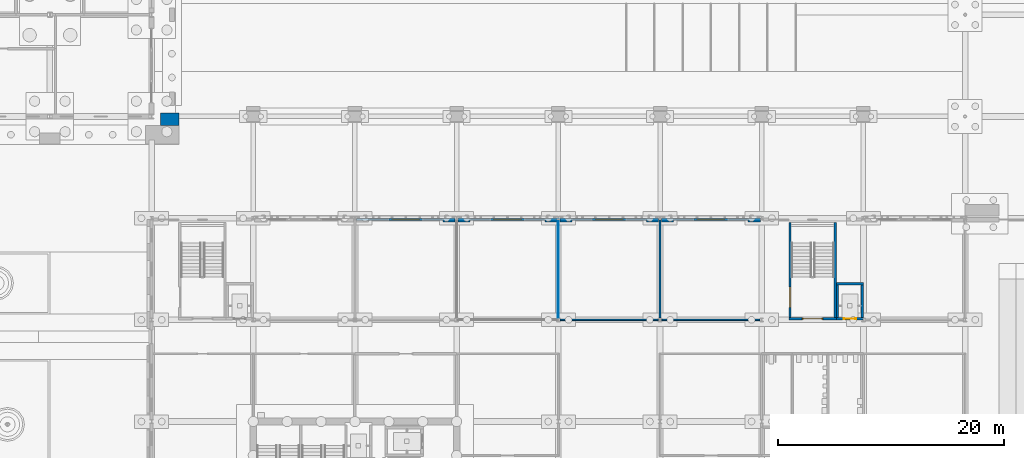
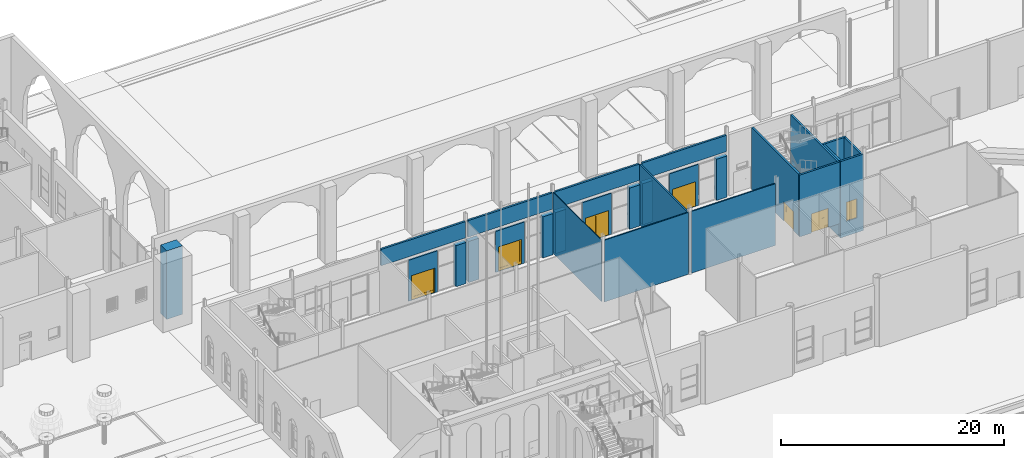
# One storey, part 112 of 250: 27 walls, 7 doors, 7 openings.
"""IFC4 building model written with IfcOpenShell, lengths in metres."""

from ifc_helpers import new_model, si_unit, direction, frame, frame_2d, origin, place, context, subcontext, project, spatial, polyline, rectangle, outline, extrude, material, layer, layer_set, type_object, element, fill, save


model = new_model("IFC4")

# Units and contexts
model_context = context("Model", 3, precision=1e-05, world=origin(), true_north=direction((0.0, 1.0)))
body_context = subcontext(model_context, "Body", "Model", "MODEL_VIEW")
ifc_project = project(units=[si_unit("LENGTHUNIT", "METRE"), si_unit("AREAUNIT", "SQUARE_METRE"), si_unit("VOLUMEUNIT", "CUBIC_METRE"), si_unit("PLANEANGLEUNIT", "RADIAN"), si_unit("MASSUNIT", "GRAM", prefix="KILO")], contexts=[model_context])

# Site, building, storey
site_placement = place(None, origin())
site = spatial("IfcSite", under=ifc_project, at=site_placement, CompositionType="ELEMENT")
building_placement = place(site_placement, origin())
building = spatial("IfcBuilding", under=site, at=building_placement, Name="Baradari Gate Terminus", CompositionType="ELEMENT")
storey_placement = place(building_placement, origin())
storey = spatial("IfcBuildingStorey", under=building, at=storey_placement, Name="L00", CompositionType="ELEMENT", Elevation=0.0)

# Walls
ifc_material_1 = material(Name="Sandstone masonry", Category="masonry")
ifc_layer_1 = layer(ifc_material_1, 0.199951171875)
ifc_layer_set_1 = layer_set([ifc_layer_1], Name="Sandstone masonry")
wall_type_1 = type_object("IfcWallType", Name="Arcade infill wall WA-1 200", PredefinedType="SOLIDWALL", material=ifc_layer_set_1)
for number, where, z_axis, x_axis, name in (
    (1, (81.128173828125, 107.87841796875, 4.89990234375), (0.0, 0.0, 1.0), (1.0, 0.0, 0.0), "Arcade tympanum wall bay 9 L00"),
    (2, (90.128173828125, 107.87841796875, 4.89990234375), (0.0, 0.0, 1.0), (1.0, 0.0, 0.0), "Arcade tympanum wall bay 10 L00"),
    (3, (99.128173828125, 107.87841796875, 4.89990234375), (0.0, 0.0, 1.0), (1.0, 0.0, 0.0), "Arcade tympanum wall bay 11 L00"),
    (4, (108.128173828125, 107.87841796875, 4.89990234375), (0.0, 0.0, 1.0), (1.0, 0.0, 0.0), "Arcade tympanum wall bay 12 L00"),
):
    element("IfcWall", number, at=place(storey_placement, frame(where, z_axis=z_axis, x_axis=x_axis)), inside=storey, type_object=wall_type_1, Name=name, PredefinedType="SOLIDWALL", context=body_context, shape_type="SweptSolid", body=[
        extrude(rectangle(XDim=8.74365234375, YDim=0.199951171875, at=frame_2d((4.371826171875, 0.0))), origin(), (0.0, 0.0, 1.0), 1.792236328125),
    ])
ifc_material_2 = material(Name="Gypsum board")
ifc_layer_2 = layer(ifc_material_2, 0.125)
ifc_layer_set_2 = layer_set([ifc_layer_2], Name="Gypsum board")
wall_type_2 = type_object("IfcWallType", Name="Corridor partition PT-5 125 EI 30", PredefinedType="PARTITIONING", material=ifc_layer_set_2)
for number, where, z_axis, x_axis, name in (
    (5, (108.15380859375, 99.0, 0.0), (0.0, 0.0, 1.0), (1.0, 0.0, 0.0), "PT-5 partition Corridor (Service Corridor West) / Cafe 1"),
    (6, (99.15380859375, 99.0, 0.0), (0.0, 0.0, 1.0), (1.0, 0.0, 0.0), "PT-5 partition Corridor (Service Corridor West) / Pharmacy"),
):
    element("IfcWall", number, at=place(storey_placement, frame(where, z_axis=z_axis, x_axis=x_axis)), inside=storey, type_object=wall_type_2, Name=name, PredefinedType="PARTITIONING", context=body_context, shape_type="SweptSolid", body=[
        extrude(rectangle(XDim=8.6923828125, YDim=0.125, at=frame_2d((4.34619140625, 0.0))), origin(), (0.0, 0.0, 1.0), 6.757080078125),
    ])

# Wall, opening, door
ifc_material_3 = material(Name="Laminated glass in aluminium frame", Category="aluminium")
ifc_layer_3 = layer(ifc_material_3, 0.14990234375)
ifc_layer_set_3 = layer_set([ifc_layer_3], Name="Laminated glass in aluminium frame")
wall_type_3 = type_object("IfcWallType", Name="Glazed entrance screen WG-1 150", PredefinedType="ELEMENTEDWALL", material=ifc_layer_set_3)
wall_1_placement = place(storey_placement, frame((84.0, 107.87841796875, 0.0), z_axis=(0.0, 0.0, 1.0), x_axis=(1.0, 0.0, 0.0)))
wall_1 = element("IfcWall", 7, at=wall_1_placement, inside=storey, type_object=wall_type_3, Name="Glazed entrance screen HN bay 9 L00", PredefinedType="ELEMENTEDWALL", context=body_context, shape_type="SweptSolid", body=[
    extrude(rectangle(XDim=3.0, YDim=0.14990234375, at=frame_2d((1.5, 0.0))), origin(), (0.0, 0.0, 1.0), 4.5),
])
opening_1_placement = place(wall_1_placement, frame((0.300048828125, 0.0, 0.0)))
opening_1 = element("IfcOpeningElement", 8, at=opening_1_placement, cuts=wall_1, Name="Opening D00-015", PredefinedType="OPENING", context=body_context, shape_type="SweptSolid", body=[
    extrude(rectangle(XDim=2.39990234375, YDim=2.699951171875, at=frame_2d((1.199951171875, 1.35009765625))), frame((0.0, 0.0849609375, 0.0), z_axis=(0.0, -1.0, 0.0), x_axis=(1.0, 0.0, 0.0)), (0.0, 0.0, 1.0), 0.169921875),
])
ifc_material_4 = material(Name="Aluminium 6063-T6", Category="aluminium")
door_type_1 = type_object("IfcDoorType", Name="Shop entrance door pair, glazed DT-2 2400x2700", OperationType="DOUBLE_DOOR_DOUBLE_SWING", PredefinedType="DOOR", material=ifc_material_4)
door_1_placement = place(opening_1_placement, origin())
door_1 = element("IfcDoor", 9, at=door_1_placement, inside=storey, type_object=door_type_1, Name="Entrance door Shop 02", OperationType="DOUBLE_DOOR_SINGLE_SWING", OverallHeight=2.7, OverallWidth=2.4, PredefinedType="DOOR", context=body_context, shape_type="SweptSolid", body=[
    extrude(outline(polyline([(0.0, 0.0), (0.070068359375, 0.0), (0.070068359375, 2.6298828125), (2.329833984375, 2.6298828125), (2.329833984375, 0.0), (2.39990234375, 0.0), (2.39990234375, 2.699951171875), (0.0, 2.699951171875), (0.0, 0.0)])), frame((0.0, 0.02490234375, 0.0), z_axis=(0.0, -1.0, 0.0), x_axis=(1.0, 0.0, 0.0)), (0.0, 0.0, 1.0), 0.050048828125),
    extrude(outline(polyline([(0.073974609375, 0.010009765625), (1.19677734375, 0.010009765625), (1.19677734375, 2.6259765625), (0.073974609375, 2.6259765625), (0.073974609375, 0.010009765625)]), holes=[polyline([(0.1640625, 0.31005859375), (1.10693359375, 0.31005859375), (1.10693359375, 2.535888671875), (0.1640625, 2.535888671875), (0.1640625, 0.31005859375)])]), frame((0.0, 0.017333984375, 0.0), z_axis=(0.0, -1.0, 0.0), x_axis=(1.0, 0.0, 0.0)), (0.0, 0.0, 1.0), 0.034912109375),
    extrude(rectangle(XDim=0.94287109375, YDim=2.225830078125, at=frame_2d((0.635498046875, 1.4228515625))), frame((0.0, 0.005859375, 0.0), z_axis=(0.0, -1.0, 0.0), x_axis=(1.0, 0.0, 0.0)), (0.0, 0.0, 1.0), 0.011962890625),
    extrude(outline(polyline([(1.203125, 0.010009765625), (2.325927734375, 0.010009765625), (2.325927734375, 2.6259765625), (1.203125, 2.6259765625), (1.203125, 0.010009765625)]), holes=[polyline([(1.29296875, 0.31005859375), (2.23583984375, 0.31005859375), (2.23583984375, 2.535888671875), (1.29296875, 2.535888671875), (1.29296875, 0.31005859375)])]), frame((0.0, 0.017333984375, 0.0), z_axis=(0.0, -1.0, 0.0), x_axis=(1.0, 0.0, 0.0)), (0.0, 0.0, 1.0), 0.034912109375),
    extrude(rectangle(XDim=0.94287109375, YDim=2.225830078125, at=frame_2d((1.764404296875, 1.4228515625))), frame((0.0, 0.005859375, 0.0), z_axis=(0.0, -1.0, 0.0), x_axis=(1.0, 0.0, 0.0)), (0.0, 0.0, 1.0), 0.011962890625),
])
fill(opening_1, door_1)

wall_2_placement = place(storey_placement, frame((93.0, 107.87841796875, 0.0), z_axis=(0.0, 0.0, 1.0), x_axis=(1.0, 0.0, 0.0)))
wall_2 = element("IfcWall", 10, at=wall_2_placement, inside=storey, type_object=wall_type_3, Name="Glazed entrance screen HN bay 10 L00", PredefinedType="ELEMENTEDWALL", context=body_context, shape_type="SweptSolid", body=[
    extrude(rectangle(XDim=3.0, YDim=0.14990234375, at=frame_2d((1.5, 0.0))), origin(), (0.0, 0.0, 1.0), 4.5),
])
opening_2_placement = place(wall_2_placement, frame((0.300048828125, 0.0, 0.0)))
opening_2 = element("IfcOpeningElement", 11, at=opening_2_placement, cuts=wall_2, Name="Opening D00-016", PredefinedType="OPENING", context=body_context, shape_type="SweptSolid", body=[
    extrude(rectangle(XDim=2.39990234375, YDim=2.699951171875, at=frame_2d((1.199951171875, 1.35009765625))), frame((0.0, 0.0849609375, 0.0), z_axis=(0.0, -1.0, 0.0), x_axis=(1.0, 0.0, 0.0)), (0.0, 0.0, 1.0), 0.169921875),
])
door_2_placement = place(opening_2_placement, origin())
door_2 = element("IfcDoor", 12, at=door_2_placement, inside=storey, type_object=door_type_1, Name="Entrance door Newsstand", OperationType="DOUBLE_DOOR_SINGLE_SWING", OverallHeight=2.7, OverallWidth=2.4, PredefinedType="DOOR", context=body_context, shape_type="SweptSolid", body=[
    extrude(outline(polyline([(0.0, 0.0), (0.070068359375, 0.0), (0.070068359375, 2.6298828125), (2.329833984375, 2.6298828125), (2.329833984375, 0.0), (2.39990234375, 0.0), (2.39990234375, 2.699951171875), (0.0, 2.699951171875), (0.0, 0.0)])), frame((0.0, 0.02490234375, 0.0), z_axis=(0.0, -1.0, 0.0), x_axis=(1.0, 0.0, 0.0)), (0.0, 0.0, 1.0), 0.050048828125),
    extrude(outline(polyline([(0.073974609375, 0.010009765625), (1.19677734375, 0.010009765625), (1.19677734375, 2.6259765625), (0.073974609375, 2.6259765625), (0.073974609375, 0.010009765625)]), holes=[polyline([(0.1640625, 0.31005859375), (1.10693359375, 0.31005859375), (1.10693359375, 2.535888671875), (0.1640625, 2.535888671875), (0.1640625, 0.31005859375)])]), frame((0.0, 0.017333984375, 0.0), z_axis=(0.0, -1.0, 0.0), x_axis=(1.0, 0.0, 0.0)), (0.0, 0.0, 1.0), 0.034912109375),
    extrude(rectangle(XDim=0.94287109375, YDim=2.225830078125, at=frame_2d((0.635498046875, 1.4228515625))), frame((0.0, 0.005859375, 0.0), z_axis=(0.0, -1.0, 0.0), x_axis=(1.0, 0.0, 0.0)), (0.0, 0.0, 1.0), 0.011962890625),
    extrude(outline(polyline([(1.203125, 0.010009765625), (2.325927734375, 0.010009765625), (2.325927734375, 2.6259765625), (1.203125, 2.6259765625), (1.203125, 0.010009765625)]), holes=[polyline([(1.29296875, 0.31005859375), (2.23583984375, 0.31005859375), (2.23583984375, 2.535888671875), (1.29296875, 2.535888671875), (1.29296875, 0.31005859375)])]), frame((0.0, 0.017333984375, 0.0), z_axis=(0.0, -1.0, 0.0), x_axis=(1.0, 0.0, 0.0)), (0.0, 0.0, 1.0), 0.034912109375),
    extrude(rectangle(XDim=0.94287109375, YDim=2.225830078125, at=frame_2d((1.764404296875, 1.4228515625))), frame((0.0, 0.005859375, 0.0), z_axis=(0.0, -1.0, 0.0), x_axis=(1.0, 0.0, 0.0)), (0.0, 0.0, 1.0), 0.011962890625),
])
fill(opening_2, door_2)

wall_3_placement = place(storey_placement, frame((102.0, 107.87841796875, 0.0), z_axis=(0.0, 0.0, 1.0), x_axis=(1.0, 0.0, 0.0)))
wall_3 = element("IfcWall", 13, at=wall_3_placement, inside=storey, type_object=wall_type_3, Name="Glazed entrance screen HN bay 11 L00", PredefinedType="ELEMENTEDWALL", context=body_context, shape_type="SweptSolid", body=[
    extrude(rectangle(XDim=3.0, YDim=0.14990234375, at=frame_2d((1.5, 0.0))), origin(), (0.0, 0.0, 1.0), 4.5),
])
opening_3_placement = place(wall_3_placement, frame((0.300048828125, 0.0, 0.0)))
opening_3 = element("IfcOpeningElement", 14, at=opening_3_placement, cuts=wall_3, Name="Opening D00-017", PredefinedType="OPENING", context=body_context, shape_type="SweptSolid", body=[
    extrude(rectangle(XDim=2.39990234375, YDim=2.699951171875, at=frame_2d((1.199951171875, 1.35009765625))), frame((0.0, 0.0849609375, 0.0), z_axis=(0.0, -1.0, 0.0), x_axis=(1.0, 0.0, 0.0)), (0.0, 0.0, 1.0), 0.169921875),
])
door_3_placement = place(opening_3_placement, origin())
door_3 = element("IfcDoor", 15, at=door_3_placement, inside=storey, type_object=door_type_1, Name="Entrance door Pharmacy", OperationType="DOUBLE_DOOR_SINGLE_SWING", OverallHeight=2.7, OverallWidth=2.4, PredefinedType="DOOR", context=body_context, shape_type="SweptSolid", body=[
    extrude(outline(polyline([(0.0, 0.0), (0.070068359375, 0.0), (0.070068359375, 2.6298828125), (2.329833984375, 2.6298828125), (2.329833984375, 0.0), (2.39990234375, 0.0), (2.39990234375, 2.699951171875), (0.0, 2.699951171875), (0.0, 0.0)])), frame((0.0, 0.02490234375, 0.0), z_axis=(0.0, -1.0, 0.0), x_axis=(1.0, 0.0, 0.0)), (0.0, 0.0, 1.0), 0.050048828125),
    extrude(outline(polyline([(0.073974609375, 0.010009765625), (1.19677734375, 0.010009765625), (1.19677734375, 2.6259765625), (0.073974609375, 2.6259765625), (0.073974609375, 0.010009765625)]), holes=[polyline([(0.1640625, 0.31005859375), (1.10693359375, 0.31005859375), (1.10693359375, 2.535888671875), (0.1640625, 2.535888671875), (0.1640625, 0.31005859375)])]), frame((0.0, 0.017333984375, 0.0), z_axis=(0.0, -1.0, 0.0), x_axis=(1.0, 0.0, 0.0)), (0.0, 0.0, 1.0), 0.034912109375),
    extrude(rectangle(XDim=0.94287109375, YDim=2.225830078125, at=frame_2d((0.635498046875, 1.4228515625))), frame((0.0, 0.005859375, 0.0), z_axis=(0.0, -1.0, 0.0), x_axis=(1.0, 0.0, 0.0)), (0.0, 0.0, 1.0), 0.011962890625),
    extrude(outline(polyline([(1.203125, 0.010009765625), (2.325927734375, 0.010009765625), (2.325927734375, 2.6259765625), (1.203125, 2.6259765625), (1.203125, 0.010009765625)]), holes=[polyline([(1.29296875, 0.31005859375), (2.23583984375, 0.31005859375), (2.23583984375, 2.535888671875), (1.29296875, 2.535888671875), (1.29296875, 0.31005859375)])]), frame((0.0, 0.017333984375, 0.0), z_axis=(0.0, -1.0, 0.0), x_axis=(1.0, 0.0, 0.0)), (0.0, 0.0, 1.0), 0.034912109375),
    extrude(rectangle(XDim=0.94287109375, YDim=2.225830078125, at=frame_2d((1.764404296875, 1.4228515625))), frame((0.0, 0.005859375, 0.0), z_axis=(0.0, -1.0, 0.0), x_axis=(1.0, 0.0, 0.0)), (0.0, 0.0, 1.0), 0.011962890625),
])
fill(opening_3, door_3)

wall_4_placement = place(storey_placement, frame((111.0, 107.87841796875, 0.0), z_axis=(0.0, 0.0, 1.0), x_axis=(1.0, 0.0, 0.0)))
wall_4 = element("IfcWall", 16, at=wall_4_placement, inside=storey, type_object=wall_type_3, Name="Glazed entrance screen HN bay 12 L00", PredefinedType="ELEMENTEDWALL", context=body_context, shape_type="SweptSolid", body=[
    extrude(rectangle(XDim=3.0, YDim=0.14990234375, at=frame_2d((1.5, 0.0))), origin(), (0.0, 0.0, 1.0), 4.5),
])
opening_4_placement = place(wall_4_placement, frame((0.300048828125, 0.0, 0.0)))
opening_4 = element("IfcOpeningElement", 17, at=opening_4_placement, cuts=wall_4, Name="Opening D00-018", PredefinedType="OPENING", context=body_context, shape_type="SweptSolid", body=[
    extrude(rectangle(XDim=2.39990234375, YDim=2.699951171875, at=frame_2d((1.199951171875, 1.35009765625))), frame((0.0, 0.0849609375, 0.0), z_axis=(0.0, -1.0, 0.0), x_axis=(1.0, 0.0, 0.0)), (0.0, 0.0, 1.0), 0.169921875),
])
door_4_placement = place(opening_4_placement, origin())
door_4 = element("IfcDoor", 18, at=door_4_placement, inside=storey, type_object=door_type_1, Name="Entrance door Cafe 1", OperationType="DOUBLE_DOOR_SINGLE_SWING", OverallHeight=2.7, OverallWidth=2.4, PredefinedType="DOOR", context=body_context, shape_type="SweptSolid", body=[
    extrude(outline(polyline([(0.0, 0.0), (0.070068359375, 0.0), (0.070068359375, 2.6298828125), (2.329833984375, 2.6298828125), (2.329833984375, 0.0), (2.39990234375, 0.0), (2.39990234375, 2.699951171875), (0.0, 2.699951171875), (0.0, 0.0)])), frame((0.0, 0.02490234375, 0.0), z_axis=(0.0, -1.0, 0.0), x_axis=(1.0, 0.0, 0.0)), (0.0, 0.0, 1.0), 0.050048828125),
    extrude(outline(polyline([(0.073974609375, 0.010009765625), (1.19677734375, 0.010009765625), (1.19677734375, 2.6259765625), (0.073974609375, 2.6259765625), (0.073974609375, 0.010009765625)]), holes=[polyline([(0.1640625, 0.31005859375), (1.10693359375, 0.31005859375), (1.10693359375, 2.535888671875), (0.1640625, 2.535888671875), (0.1640625, 0.31005859375)])]), frame((0.0, 0.017333984375, 0.0), z_axis=(0.0, -1.0, 0.0), x_axis=(1.0, 0.0, 0.0)), (0.0, 0.0, 1.0), 0.034912109375),
    extrude(rectangle(XDim=0.94287109375, YDim=2.225830078125, at=frame_2d((0.635498046875, 1.4228515625))), frame((0.0, 0.005859375, 0.0), z_axis=(0.0, -1.0, 0.0), x_axis=(1.0, 0.0, 0.0)), (0.0, 0.0, 1.0), 0.011962890625),
    extrude(outline(polyline([(1.203125, 0.010009765625), (2.325927734375, 0.010009765625), (2.325927734375, 2.6259765625), (1.203125, 2.6259765625), (1.203125, 0.010009765625)]), holes=[polyline([(1.29296875, 0.31005859375), (2.23583984375, 0.31005859375), (2.23583984375, 2.535888671875), (1.29296875, 2.535888671875), (1.29296875, 0.31005859375)])]), frame((0.0, 0.017333984375, 0.0), z_axis=(0.0, -1.0, 0.0), x_axis=(1.0, 0.0, 0.0)), (0.0, 0.0, 1.0), 0.034912109375),
    extrude(rectangle(XDim=0.94287109375, YDim=2.225830078125, at=frame_2d((1.764404296875, 1.4228515625))), frame((0.0, 0.005859375, 0.0), z_axis=(0.0, -1.0, 0.0), x_axis=(1.0, 0.0, 0.0)), (0.0, 0.0, 1.0), 0.011962890625),
])
fill(opening_4, door_4)

# Walls
ifc_material_5 = material(Name="Aluminium framed glazed partition", Category="aluminium")
ifc_layer_4 = layer(ifc_material_5, 0.074951171875)
ifc_layer_set_4 = layer_set([ifc_layer_4], Name="Aluminium framed glazed partition")
wall_type_4 = type_object("IfcWallType", Name="Kiosk partition PT-9 75 EI 60", PredefinedType="PARTITIONING", material=ifc_layer_set_4)
wall_5_placement = place(storey_placement, frame((99.0, 107.869873046875, 0.0), z_axis=(0.0, 0.0, 1.0), x_axis=(0.0, -1.0, 0.0)))
element("IfcWall", 19, at=wall_5_placement, inside=storey, type_object=wall_type_4, Name="PT-9 partition Newsstand / Pharmacy", PredefinedType="PARTITIONING", context=body_context, shape_type="SweptSolid", body=[
    extrude(rectangle(XDim=8.712646484375, YDim=0.074951171875, at=frame_2d((4.3564453125, 0.0))), origin(), (0.0, 0.0, 1.0), 6.69189453125),
])
ifc_material_6 = material(Name="Laterite masonry", Category="masonry")
ifc_layer_5 = layer(ifc_material_6, 0.449951171875)
ifc_layer_set_5 = layer_set([ifc_layer_5], Name="Laterite masonry")
wall_type_5 = type_object("IfcWallType", Name="Laterite masonry pier WC-1 450", PredefinedType="SOLIDWALL", material=ifc_layer_set_5)
for number, where, z_axis, x_axis, name in (
    (20, (88.800048828125, 107.87841796875, 0.0), (0.0, 0.0, 1.0), (1.0, 0.0, 0.0), "Stone-clad pier HN bay 9 L00"),
    (21, (90.128173828125, 107.87841796875, 0.0), (0.0, 0.0, 1.0), (1.0, 0.0, 0.0), "Stone-clad pier HN bay 10 L00"),
    (22, (97.800048828125, 107.87841796875, 0.0), (0.0, 0.0, 1.0), (1.0, 0.0, 0.0), "Stone-clad pier HN bay 10 L00"),
    (23, (99.128173828125, 107.87841796875, 0.0), (0.0, 0.0, 1.0), (1.0, 0.0, 0.0), "Stone-clad pier HN bay 11 L00"),
    (24, (106.800048828125, 107.87841796875, 0.0), (0.0, 0.0, 1.0), (1.0, 0.0, 0.0), "Stone-clad pier HN bay 11 L00"),
    (25, (108.128173828125, 107.87841796875, 0.0), (0.0, 0.0, 1.0), (1.0, 0.0, 0.0), "Stone-clad pier HN bay 12 L00"),
    (26, (115.800048828125, 107.87841796875, 0.0), (0.0, 0.0, 1.0), (1.0, 0.0, 0.0), "Stone-clad pier HN bay 12 L00"),
):
    element("IfcWall", number, at=place(storey_placement, frame(where, z_axis=z_axis, x_axis=x_axis)), inside=storey, type_object=wall_type_5, Name=name, PredefinedType="SOLIDWALL", context=body_context, shape_type="SweptSolid", body=[
        extrude(rectangle(XDim=1.07177734375, YDim=0.449951171875, at=frame_2d((0.535888671875, 0.0))), origin(), (0.0, 0.0, 1.0), 4.5),
    ])

# Wall, opening, door
ifc_material_7 = material(Name="Blockwork wall, fire rated", Category="masonry")
ifc_layer_6 = layer(ifc_material_7, 0.199951171875)
ifc_layer_set_6 = layer_set([ifc_layer_6], Name="Blockwork wall, fire rated")
wall_type_6 = type_object("IfcWallType", Name="Lift shaft wall SH-1 200 EI 120", PredefinedType="SOLIDWALL", material=ifc_layer_set_6)
wall_6_placement = place(storey_placement, frame((123.60205078125, 99.10009765625, -1.60009765625), z_axis=(0.0, 0.0, 1.0), x_axis=(1.0, 0.0, 0.0)))
wall_6 = element("IfcWall", 27, at=wall_6_placement, inside=storey, type_object=wall_type_6, Name="Lift shaft wall LH2 L00 S", PredefinedType="SOLIDWALL", context=body_context, shape_type="SweptSolid", body=[
    extrude(rectangle(XDim=2.39794921875, YDim=0.199951171875, at=frame_2d((1.198974609375, 0.0))), origin(), (0.0, 0.0, 1.0), 8.357177734375),
])
opening_5_placement = place(wall_6_placement, frame((0.64794921875, 0.0, 1.60009765625)))
opening_5 = element("IfcOpeningElement", 28, at=opening_5_placement, cuts=wall_6, Name="Opening D00-073", PredefinedType="OPENING", context=body_context, shape_type="SweptSolid", body=[
    extrude(rectangle(XDim=1.10009765625, YDim=2.10009765625, at=frame_2d((0.550048828125, 1.050048828125))), frame((0.0, 0.10986328125, 0.0), z_axis=(0.0, -1.0, 0.0), x_axis=(1.0, 0.0, 0.0)), (0.0, 0.0, 1.0), 0.219970703125),
])
ifc_material_8 = material(Name="Stainless steel 1.4301", Category="steel")
door_type_2 = type_object("IfcDoorType", Name="Lift landing door LD 1100x2100 E 120", OperationType="SLIDING_TO_LEFT", PredefinedType="DOOR", material=ifc_material_8)
door_5_placement = place(opening_5_placement, origin())
door_5 = element("IfcDoor", 29, at=door_5_placement, inside=storey, type_object=door_type_2, Name="Lift landing door LH2 L00", OperationType="SLIDING_TO_LEFT", OverallHeight=2.1, OverallWidth=1.1, PredefinedType="DOOR", context=body_context, shape_type="SweptSolid", body=[
    extrude(outline(polyline([(0.0, 0.0), (0.070068359375, 0.0), (0.070068359375, 2.030029296875), (1.030029296875, 2.030029296875), (1.030029296875, 0.0), (1.10009765625, 0.0), (1.10009765625, 2.10009765625), (0.0, 2.10009765625), (0.0, 0.0)])), frame((0.0, 0.02490234375, 0.0), z_axis=(0.0, -1.0, 0.0), x_axis=(1.0, 0.0, 0.0)), (0.0, 0.0, 1.0), 0.050048828125),
    extrude(rectangle(XDim=0.523681640625, YDim=2.01611328125, at=frame_2d((0.3359375, 1.01806640625))), frame((0.0, 0.017822265625, 0.0), z_axis=(0.0, -1.0, 0.0), x_axis=(1.0, 0.0, 0.0)), (0.0, 0.0, 1.0), 0.015869140625),
    extrude(rectangle(XDim=0.519775390625, YDim=2.01611328125, at=frame_2d((0.76611328125, 1.01806640625))), frame((0.0, -0.002197265625, 0.0), z_axis=(0.0, -1.0, 0.0), x_axis=(1.0, 0.0, 0.0)), (0.0, 0.0, 1.0), 0.015869140625),
])
fill(opening_5, door_5)

# Walls
wall_7_placement = place(storey_placement, frame((123.60205078125, 102.199951171875, -1.60009765625), z_axis=(0.0, 0.0, 1.0), x_axis=(1.0, 0.0, 0.0)))
element("IfcWall", 30, at=wall_7_placement, inside=storey, type_object=wall_type_6, Name="Lift shaft wall LH2 L00 N", PredefinedType="SOLIDWALL", context=body_context, shape_type="SweptSolid", body=[
    extrude(rectangle(XDim=2.39794921875, YDim=0.199951171875, at=frame_2d((1.198974609375, 0.0))), origin(), (0.0, 0.0, 1.0), 8.357177734375),
])
for number, where, z_axis, x_axis, name in (
    (31, (123.699951171875, 99.199951171875, -1.60009765625), (0.0, 0.0, 1.0), (0.0, 1.0, 0.0), "Lift shaft wall LH2 L00 W"),
    (32, (125.89990234375, 99.199951171875, -1.60009765625), (0.0, 0.0, 1.0), (0.0, 1.0, 0.0), "Lift shaft wall LH2 L00 E"),
):
    element("IfcWall", number, at=place(storey_placement, frame(where, z_axis=z_axis, x_axis=x_axis)), inside=storey, type_object=wall_type_6, Name=name, PredefinedType="SOLIDWALL", context=body_context, shape_type="SweptSolid", body=[
        extrude(rectangle(XDim=2.900146484375, YDim=0.199951171875, at=frame_2d((1.4501953125, 0.0))), origin(), (0.0, 0.0, 1.0), 8.357177734375),
    ])
ifc_material_9 = material(Name="Blockwork wall, plastered", Category="masonry")
ifc_layer_7 = layer(ifc_material_9, 0.14990234375)
ifc_layer_set_7 = layer_set([ifc_layer_7], Name="Blockwork wall, plastered")
wall_type_7 = type_object("IfcWallType", Name="Partition PT-2 150 EI 60", PredefinedType="PARTITIONING", material=ifc_layer_set_7)
wall_8_placement = place(storey_placement, frame((108.0, 107.869873046875, 0.0), z_axis=(0.0, 0.0, 1.0), x_axis=(0.0, -1.0, 0.0)))
element("IfcWall", 33, at=wall_8_placement, inside=storey, type_object=wall_type_7, Name="PT-2 partition Pharmacy / Cafe 1", PredefinedType="PARTITIONING", context=body_context, shape_type="SweptSolid", body=[
    extrude(rectangle(XDim=8.712646484375, YDim=0.14990234375, at=frame_2d((4.3564453125, 0.0))), origin(), (0.0, 0.0, 1.0), 6.60009765625),
])
ifc_material_10 = material(Name="Concrete C40/50 precast", Category="concrete")
ifc_layer_8 = layer(ifc_material_10, 1.55)
ifc_material_11 = material(Name="Sandstone cladding", Category="masonry")
ifc_layer_9 = layer(ifc_material_11, 0.1)
ifc_layer_set_8 = layer_set([ifc_layer_8, ifc_layer_9], Name="Concrete C40/50 precast")
wall_type_8 = type_object("IfcWallType", Name="Sandstone-faced precast frame pier WQ-4 1650", PredefinedType="SOLIDWALL", material=ifc_layer_set_8)
wall_9_placement = place(storey_placement, frame((64.6201171875, 116.205078125, 0.0), z_axis=(0.0, 0.0, 1.0), x_axis=(0.0, 1.0, 0.0)))
element("IfcWall", 34, at=wall_9_placement, inside=storey, type_object=wall_type_8, Name="Corner pilaster SE leg B L00", PredefinedType="SOLIDWALL", context=body_context, shape_type="SweptSolid", body=[
    extrude(rectangle(XDim=1.099853515625, YDim=1.64990234375, at=frame_2d((0.5498046875, 0.0))), origin(), (0.0, 0.0, 1.0), 7.5),
])

# Wall, opening, door
ifc_material_12 = material(Name="Concrete C40/50", Category="concrete")
ifc_layer_10 = layer(ifc_material_12, 0.199951171875)
ifc_layer_set_9 = layer_set([ifc_layer_10], Name="Concrete C40/50")
wall_type_9 = type_object("IfcWallType", Name="Stair enclosure wall SE-5 200 EI 120", PredefinedType="SOLIDWALL", material=ifc_layer_set_9)
wall_10_placement = place(storey_placement, frame((119.39990234375, 99.10009765625, 0.0), z_axis=(0.0, 0.0, 1.0), x_axis=(1.0, 0.0, 0.0)))
wall_10 = element("IfcWall", 35, at=wall_10_placement, inside=storey, type_object=wall_type_9, Name="Stair enclosure wall SE-5 ST-H2 L00 S", PredefinedType="SOLIDWALL", context=body_context, shape_type="SweptSolid", body=[
    extrude(rectangle(XDim=4.2001953125, YDim=0.199951171875, at=frame_2d((2.10009765625, 0.0))), origin(), (0.0, 0.0, 1.0), 6.757080078125),
])
opening_6_placement = place(wall_10_placement, frame((1.199951171875, 0.0, 0.0)))
opening_6 = element("IfcOpeningElement", 36, at=opening_6_placement, cuts=wall_10, Name="Opening D00-124", PredefinedType="OPENING", context=body_context, shape_type="SweptSolid", body=[
    extrude(rectangle(XDim=1.800048828125, YDim=2.10009765625, at=frame_2d((0.89990234375, 1.050048828125))), frame((0.0, 0.10986328125, 0.0), z_axis=(0.0, -1.0, 0.0), x_axis=(1.0, 0.0, 0.0)), (0.0, 0.0, 1.0), 0.219970703125),
])
ifc_material_13 = material(Name="Steel S275", Category="steel")
door_type_3 = type_object("IfcDoorType", Name="Fire door FI-1800-FD90S 1800x2100 FD90S", OperationType="DOUBLE_DOOR_SINGLE_SWING", PredefinedType="DOOR", material=ifc_material_13)
door_6_placement = place(opening_6_placement, origin())
door_6 = element("IfcDoor", 37, at=door_6_placement, inside=storey, type_object=door_type_3, Name="Door Stair (Head-house) 2", OperationType="DOUBLE_DOOR_SINGLE_SWING", OverallHeight=2.1, OverallWidth=1.8, PredefinedType="DOOR", context=body_context, shape_type="SweptSolid", body=[
    extrude(outline(polyline([(0.0, 0.0), (0.070068359375, 0.0), (0.070068359375, 2.030029296875), (1.72998046875, 2.030029296875), (1.72998046875, 0.0), (1.800048828125, 0.0), (1.800048828125, 2.10009765625), (0.0, 2.10009765625), (0.0, 0.0)])), frame((0.0, 0.02490234375, 0.0), z_axis=(0.0, -1.0, 0.0), x_axis=(1.0, 0.0, 0.0)), (0.0, 0.0, 1.0), 0.050048828125),
    extrude(outline(polyline([(0.073974609375, 0.010009765625), (0.89697265625, 0.010009765625), (0.89697265625, 2.026123046875), (0.073974609375, 2.026123046875), (0.073974609375, 0.010009765625)]), holes=[polyline([(0.194091796875, 0.159912109375), (0.77685546875, 0.159912109375), (0.77685546875, 1.010009765625), (0.194091796875, 1.010009765625), (0.194091796875, 0.159912109375)]), polyline([(0.33544921875, 1.159912109375), (0.635498046875, 1.159912109375), (0.635498046875, 1.760009765625), (0.33544921875, 1.760009765625), (0.33544921875, 1.159912109375)])]), frame((0.0, 0.017333984375, 0.0), z_axis=(0.0, -1.0, 0.0), x_axis=(1.0, 0.0, 0.0)), (0.0, 0.0, 1.0), 0.034912109375),
    extrude(rectangle(XDim=0.582763671875, YDim=0.85009765625, at=frame_2d((0.4853515625, 0.5849609375))), frame((0.0, 0.008544921875, 0.0), z_axis=(0.0, -1.0, 0.0), x_axis=(1.0, 0.0, 0.0)), (0.0, 0.0, 1.0), 0.017333984375),
    extrude(rectangle(XDim=0.300048828125, YDim=0.60009765625, at=frame_2d((0.4853515625, 1.4599609375))), frame((0.0, 0.005859375, 0.0), z_axis=(0.0, -1.0, 0.0), x_axis=(1.0, 0.0, 0.0)), (0.0, 0.0, 1.0), 0.011962890625),
    extrude(outline(polyline([(0.903076171875, 0.010009765625), (1.72607421875, 0.010009765625), (1.72607421875, 2.026123046875), (0.903076171875, 2.026123046875), (0.903076171875, 0.010009765625)]), holes=[polyline([(1.023193359375, 0.159912109375), (1.60595703125, 0.159912109375), (1.60595703125, 1.010009765625), (1.023193359375, 1.010009765625), (1.023193359375, 0.159912109375)]), polyline([(1.16455078125, 1.159912109375), (1.464599609375, 1.159912109375), (1.464599609375, 1.760009765625), (1.16455078125, 1.760009765625), (1.16455078125, 1.159912109375)])]), frame((0.0, 0.017333984375, 0.0), z_axis=(0.0, -1.0, 0.0), x_axis=(1.0, 0.0, 0.0)), (0.0, 0.0, 1.0), 0.034912109375),
    extrude(rectangle(XDim=0.582763671875, YDim=0.85009765625, at=frame_2d((1.314453125, 0.5849609375))), frame((0.0, 0.008544921875, 0.0), z_axis=(0.0, -1.0, 0.0), x_axis=(1.0, 0.0, 0.0)), (0.0, 0.0, 1.0), 0.017333984375),
    extrude(rectangle(XDim=0.300048828125, YDim=0.60009765625, at=frame_2d((1.314453125, 1.4599609375))), frame((0.0, 0.005859375, 0.0), z_axis=(0.0, -1.0, 0.0), x_axis=(1.0, 0.0, 0.0)), (0.0, 0.0, 1.0), 0.011962890625),
])
fill(opening_6, door_6)

wall_11_placement = place(storey_placement, frame((119.5, 99.199951171875, 0.0), z_axis=(0.0, 0.0, 1.0), x_axis=(0.0, 1.0, 0.0)))
wall_11 = element("IfcWall", 38, at=wall_11_placement, inside=storey, type_object=wall_type_9, Name="Stair enclosure wall SE-5 ST-H2 L00 W", PredefinedType="SOLIDWALL", context=body_context, shape_type="SweptSolid", body=[
    extrude(rectangle(XDim=8.400146484375, YDim=0.199951171875, at=frame_2d((4.2001953125, 0.0))), origin(), (0.0, 0.0, 1.0), 6.757080078125),
])
opening_7_placement = place(wall_11_placement, frame((0.89990234375, 0.0, 0.0)))
opening_7 = element("IfcOpeningElement", 39, at=opening_7_placement, cuts=wall_11, Name="Opening D00-123", PredefinedType="OPENING", context=body_context, shape_type="SweptSolid", body=[
    extrude(rectangle(XDim=1.800048828125, YDim=2.10009765625, at=frame_2d((0.89990234375, 1.050048828125))), frame((0.0, 0.10986328125, 0.0), z_axis=(0.0, -1.0, 0.0), x_axis=(1.0, 0.0, 0.0)), (0.0, 0.0, 1.0), 0.219970703125),
])
door_7_placement = place(opening_7_placement, frame((1.800048828125, 0.0, 0.0), z_axis=(0.0, 0.0, 1.0), x_axis=(-1.0, 0.0, 0.0)))
door_7 = element("IfcDoor", 40, at=door_7_placement, inside=storey, type_object=door_type_3, Name="Door Stair (Head-house) 2", OperationType="DOUBLE_DOOR_SINGLE_SWING", OverallHeight=2.1, OverallWidth=1.8, PredefinedType="DOOR", context=body_context, shape_type="SweptSolid", body=[
    extrude(outline(polyline([(0.0, 0.0), (0.070068359375, 0.0), (0.070068359375, 2.030029296875), (1.72998046875, 2.030029296875), (1.72998046875, 0.0), (1.800048828125, 0.0), (1.800048828125, 2.10009765625), (0.0, 2.10009765625), (0.0, 0.0)])), frame((0.0, 0.02490234375, 0.0), z_axis=(0.0, -1.0, 0.0), x_axis=(1.0, 0.0, 0.0)), (0.0, 0.0, 1.0), 0.050048828125),
    extrude(outline(polyline([(0.073974609375, 0.010009765625), (0.89697265625, 0.010009765625), (0.89697265625, 2.026123046875), (0.073974609375, 2.026123046875), (0.073974609375, 0.010009765625)]), holes=[polyline([(0.194091796875, 0.159912109375), (0.77685546875, 0.159912109375), (0.77685546875, 1.010009765625), (0.194091796875, 1.010009765625), (0.194091796875, 0.159912109375)]), polyline([(0.33544921875, 1.159912109375), (0.635498046875, 1.159912109375), (0.635498046875, 1.760009765625), (0.33544921875, 1.760009765625), (0.33544921875, 1.159912109375)])]), frame((0.0, 0.017333984375, 0.0), z_axis=(0.0, -1.0, 0.0), x_axis=(1.0, 0.0, 0.0)), (0.0, 0.0, 1.0), 0.034912109375),
    extrude(rectangle(XDim=0.582763671875, YDim=0.85009765625, at=frame_2d((0.4853515625, 0.5849609375))), frame((0.0, 0.008544921875, 0.0), z_axis=(0.0, -1.0, 0.0), x_axis=(1.0, 0.0, 0.0)), (0.0, 0.0, 1.0), 0.017333984375),
    extrude(rectangle(XDim=0.300048828125, YDim=0.60009765625, at=frame_2d((0.4853515625, 1.4599609375))), frame((0.0, 0.005859375, 0.0), z_axis=(0.0, -1.0, 0.0), x_axis=(1.0, 0.0, 0.0)), (0.0, 0.0, 1.0), 0.011962890625),
    extrude(outline(polyline([(0.903076171875, 0.010009765625), (1.72607421875, 0.010009765625), (1.72607421875, 2.026123046875), (0.903076171875, 2.026123046875), (0.903076171875, 0.010009765625)]), holes=[polyline([(1.023193359375, 0.159912109375), (1.60595703125, 0.159912109375), (1.60595703125, 1.010009765625), (1.023193359375, 1.010009765625), (1.023193359375, 0.159912109375)]), polyline([(1.16455078125, 1.159912109375), (1.464599609375, 1.159912109375), (1.464599609375, 1.760009765625), (1.16455078125, 1.760009765625), (1.16455078125, 1.159912109375)])]), frame((0.0, 0.017333984375, 0.0), z_axis=(0.0, -1.0, 0.0), x_axis=(1.0, 0.0, 0.0)), (0.0, 0.0, 1.0), 0.034912109375),
    extrude(rectangle(XDim=0.582763671875, YDim=0.85009765625, at=frame_2d((1.314453125, 0.5849609375))), frame((0.0, 0.008544921875, 0.0), z_axis=(0.0, -1.0, 0.0), x_axis=(1.0, 0.0, 0.0)), (0.0, 0.0, 1.0), 0.017333984375),
    extrude(rectangle(XDim=0.300048828125, YDim=0.60009765625, at=frame_2d((1.314453125, 1.4599609375))), frame((0.0, 0.005859375, 0.0), z_axis=(0.0, -1.0, 0.0), x_axis=(1.0, 0.0, 0.0)), (0.0, 0.0, 1.0), 0.011962890625),
])
fill(opening_7, door_7)

# Wall
wall_12_placement = place(storey_placement, frame((123.5, 99.199951171875, 0.0), z_axis=(0.0, 0.0, 1.0), x_axis=(0.0, 1.0, 0.0)))
element("IfcWall", 41, at=wall_12_placement, inside=storey, type_object=wall_type_9, Name="Stair enclosure wall SE-5 ST-H2 L00 E", PredefinedType="SOLIDWALL", context=body_context, shape_type="SweptSolid", body=[
    extrude(rectangle(XDim=8.400146484375, YDim=0.199951171875, at=frame_2d((4.2001953125, 0.0))), origin(), (0.0, 0.0, 1.0), 6.757080078125),
])

save(model, "model.ifc")
